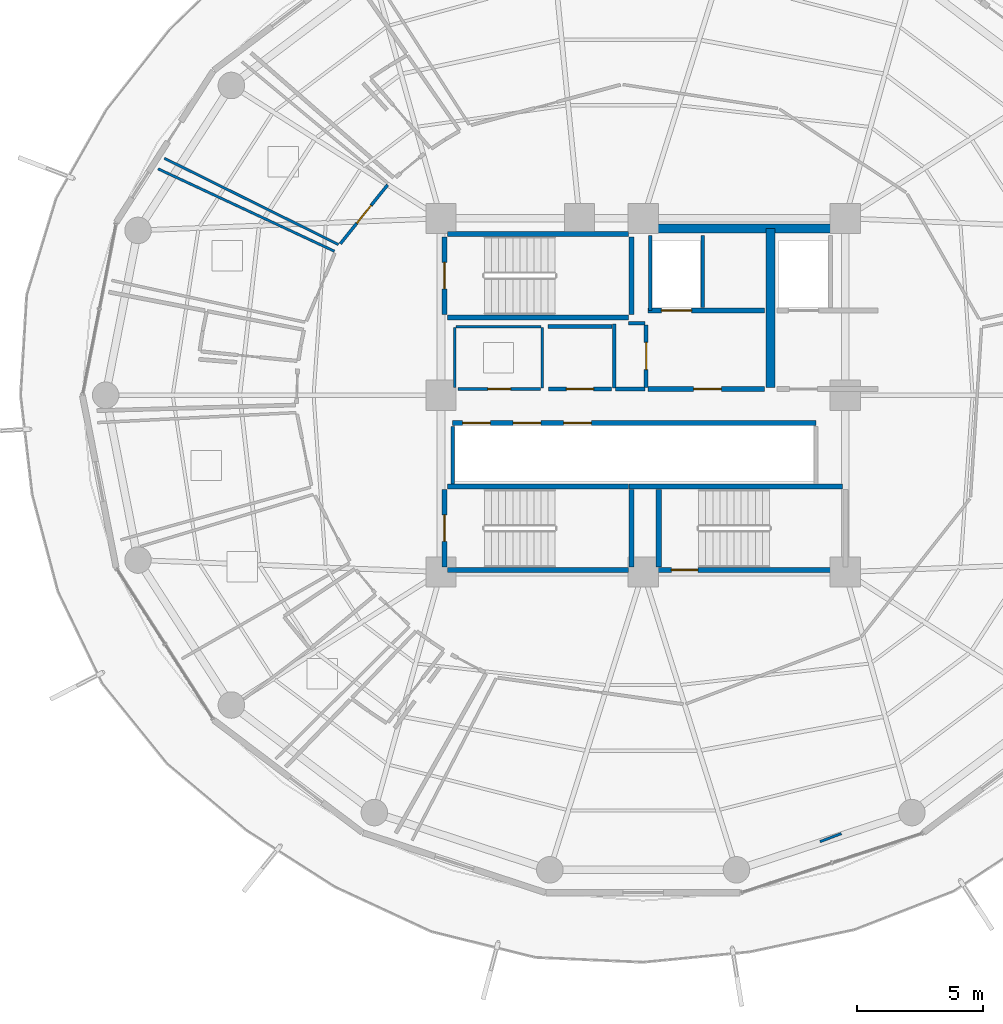
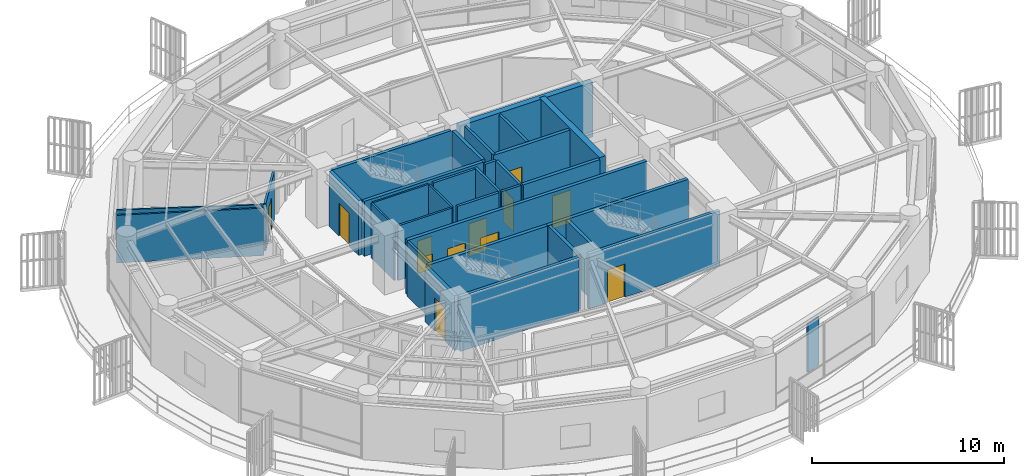
# One storey, part 25 of 31: 33 walls, 12 doors, 12 openings.
"""IFC4 building model written with IfcOpenShell, lengths in metres."""

from ifc_helpers import new_model, si_unit, direction, frame, frame_2d, origin, place, context, subcontext, project, spatial, rectangle, extrude, material, layer, layer_set, type_object, element, fill, save


model = new_model("IFC4")

# Units and contexts
model_context = context("Model", 3, precision=1e-05, world=origin(), true_north=direction((0.0, 1.0)))
body_context = subcontext(model_context, "Body", "Model", "MODEL_VIEW")
ifc_project = project(units=[si_unit("LENGTHUNIT", "METRE"), si_unit("AREAUNIT", "SQUARE_METRE"), si_unit("VOLUMEUNIT", "CUBIC_METRE"), si_unit("PLANEANGLEUNIT", "RADIAN"), si_unit("MASSUNIT", "GRAM", prefix="KILO")], contexts=[model_context])

# Site, building, storey
site_placement = place(None, origin())
site = spatial("IfcSite", under=ifc_project, at=site_placement, CompositionType="ELEMENT")
building_placement = place(site_placement, origin())
building = spatial("IfcBuilding", under=site, at=building_placement, Name="Kelanora Arch Commons", CompositionType="ELEMENT")
storey_placement = place(building_placement, frame((0.0, 0.0, 196.949951171875)))
storey = spatial("IfcBuildingStorey", under=building, at=storey_placement, Name="L50", CompositionType="ELEMENT", Elevation=196.949951171875)

# Walls
ifc_material_1 = material(Name="Autoclaved aerated concrete blockwork with fire plaster", Category="masonry")
ifc_layer_1 = layer(ifc_material_1, 0.14990234375)
ifc_layer_set_1 = layer_set([ifc_layer_1], Name="Autoclaved aerated concrete blockwork with fire plaster")
wall_type_1 = type_object("IfcWallType", Name="W-COMP-150", PredefinedType="PARTITIONING", material=ifc_layer_set_1)
wall_1_placement = place(storey_placement, frame((74.280029296875, 61.35009765625, 0.0), z_axis=(0.0, 0.0, 1.0), x_axis=(0.0, 1.0, 0.0)))
element("IfcWall", 1, at=wall_1_placement, inside=storey, type_object=wall_type_1, Name="Firefighting Lift 1 West Shaft Wall L50", PredefinedType="PARTITIONING", context=body_context, shape_type="SweptSolid", body=[
    extrude(rectangle(XDim=2.969970703125, YDim=0.14990234375, at=frame_2d((1.48486328125, 0.0))), origin(), (0.0, 0.0, 1.0), 3.47998046875),
])
wall_2_placement = place(storey_placement, frame((76.360107421875, 61.47998046875, 0.0), z_axis=(0.0, 0.0, 1.0), x_axis=(0.0, 1.0, 0.0)))
element("IfcWall", 2, at=wall_2_placement, inside=storey, type_object=wall_type_1, Name="Firefighting Lift 1 East Shaft Wall L50", PredefinedType="PARTITIONING", context=body_context, shape_type="SweptSolid", body=[
    extrude(rectangle(XDim=2.840087890625, YDim=0.14990234375, at=frame_2d((1.419921875, 0.0))), origin(), (0.0, 0.0, 1.0), 3.47998046875),
])
wall_3_placement = place(storey_placement, frame((66.4599609375, 54.47998046875, 0.0), z_axis=(0.0, 0.0, 1.0), x_axis=(0.0, 1.0, 0.0)))
element("IfcWall", 3, at=wall_3_placement, inside=storey, type_object=wall_type_1, Name="South Lift Bank West Wall L50", PredefinedType="PARTITIONING", context=body_context, shape_type="SweptSolid", body=[
    extrude(rectangle(XDim=2.2900390625, YDim=0.14990234375, at=frame_2d((1.14501953125, 0.0))), origin(), (0.0, 0.0, 1.0), 3.47998046875),
])

# Wall, opening, door
wall_4_placement = place(storey_placement, frame((74.1201171875, 58.31005859375, 0.0), z_axis=(0.0, 0.0, 1.0), x_axis=(0.0, 1.0, 0.0)))
wall_4 = element("IfcWall", 4, at=wall_4_placement, inside=storey, type_object=wall_type_1, Name="Core Linen Supply Store L50 Entry Partition", PredefinedType="PARTITIONING", context=body_context, shape_type="SweptSolid", body=[
    extrude(rectangle(XDim=2.47998046875, YDim=0.14990234375, at=frame_2d((1.239990234375, 0.0))), origin(), (0.0, 0.0, 1.0), 3.47998046875),
])
opening_1_placement = place(wall_4_placement, frame((0.699951171875, 0.0, 0.0)))
opening_1 = element("IfcOpeningElement", 5, at=opening_1_placement, cuts=wall_4, Name="Opening D-PLT1", PredefinedType="OPENING", context=body_context, shape_type="SweptSolid", body=[
    extrude(rectangle(XDim=1.080078125, YDim=2.10009765625, at=frame_2d((0.5400390625, 1.050048828125))), frame((0.0, 0.0849609375, 0.0), z_axis=(0.0, -1.0, 0.0), x_axis=(1.0, 0.0, 0.0)), (0.0, 0.0, 1.0), 0.169921875),
])
ifc_material_2 = material(Name="Galvanised steel plant and riser fire door", Category="steel")
door_type_1 = type_object("IfcDoorType", Name="D-PLT-110", OperationType="NOTDEFINED", PredefinedType="DOOR", material=ifc_material_2)
door_1_placement = place(opening_1_placement, origin())
door_1 = element("IfcDoor", 6, at=door_1_placement, inside=storey, type_object=door_type_1, Name="Core Linen Supply Store L50 Door", OperationType="SINGLE_SWING_RIGHT", OverallHeight=2.10009765625, OverallWidth=1.080078125, PredefinedType="DOOR", context=body_context, shape_type="SweptSolid", body=[
    extrude(rectangle(XDim=1.080078125, YDim=2.10009765625, at=frame_2d((0.5400390625, 1.050048828125))), frame((0.0, 0.02490234375, 0.0), z_axis=(0.0, -1.0, 0.0), x_axis=(1.0, 0.0, 0.0)), (0.0, 0.0, 1.0), 0.050048828125),
])
fill(opening_1, door_1)

wall_5_placement = place(storey_placement, frame((70.260009765625, 58.25, 0.0), z_axis=(0.0, 0.0, 1.0), x_axis=(1.0, 0.0, 0.0)))
wall_5 = element("IfcWall", 7, at=wall_5_placement, inside=storey, type_object=wall_type_1, Name="Reclaimed Core Linen Store L50 Entry Partition", PredefinedType="PARTITIONING", context=body_context, shape_type="SweptSolid", body=[
    extrude(rectangle(XDim=2.47998046875, YDim=0.14990234375, at=frame_2d((1.239990234375, 0.0))), origin(), (0.0, 0.0, 1.0), 3.47998046875),
])
opening_2_placement = place(wall_5_placement, frame((0.699951171875, 0.0, 0.0)))
opening_2 = element("IfcOpeningElement", 8, at=opening_2_placement, cuts=wall_5, Name="Opening D-PLT1", PredefinedType="OPENING", context=body_context, shape_type="SweptSolid", body=[
    extrude(rectangle(XDim=1.080078125, YDim=2.10009765625, at=frame_2d((0.5400390625, 1.050048828125))), frame((0.0, 0.0849609375, 0.0), z_axis=(0.0, -1.0, 0.0), x_axis=(1.0, 0.0, 0.0)), (0.0, 0.0, 1.0), 0.169921875),
])
door_2_placement = place(opening_2_placement, origin())
door_2 = element("IfcDoor", 9, at=door_2_placement, inside=storey, type_object=door_type_1, Name="Reclaimed Core Linen Store L50 Door", OperationType="SINGLE_SWING_RIGHT", OverallHeight=2.10009765625, OverallWidth=1.080078125, PredefinedType="DOOR", context=body_context, shape_type="SweptSolid", body=[
    extrude(rectangle(XDim=1.080078125, YDim=2.10009765625, at=frame_2d((0.5400390625, 1.050048828125))), frame((0.0, 0.02490234375, 0.0), z_axis=(0.0, -1.0, 0.0), x_axis=(1.0, 0.0, 0.0)), (0.0, 0.0, 1.0), 0.050048828125),
])
fill(opening_2, door_2)

# Walls
wall_6_placement = place(storey_placement, frame((72.89990234375, 58.25, 0.0), z_axis=(0.0, 0.0, 1.0), x_axis=(1.0, 0.0, 0.0)))
element("IfcWall", 10, at=wall_6_placement, inside=storey, type_object=wall_type_1, Name="Core Linen Supply Store L50 Enclosure Partition 1", PredefinedType="PARTITIONING", context=body_context, shape_type="SweptSolid", body=[
    extrude(rectangle(XDim=1.18017578125, YDim=0.14990234375, at=frame_2d((0.590087890625, 0.0))), origin(), (0.0, 0.0, 1.0), 3.47998046875),
])
wall_7_placement = place(storey_placement, frame((74.080078125, 60.85009765625, 0.0), z_axis=(0.0, 0.0, 1.0), x_axis=(-1.0, 0.0, 0.0)))
element("IfcWall", 11, at=wall_7_placement, inside=storey, type_object=wall_type_1, Name="Core Linen Supply Store L50 Enclosure Partition 3", PredefinedType="PARTITIONING", context=body_context, shape_type="SweptSolid", body=[
    extrude(rectangle(XDim=0.66015625, YDim=0.14990234375, at=frame_2d((0.330078125, 0.0))), origin(), (0.0, 0.0, 1.0), 3.47998046875),
])
for number, where, z_axis, x_axis, name in (
    (12, (72.860107421875, 60.81005859375, 0.0), (0.0, 0.0, 1.0), (0.0, -1.0, 0.0), "Core Linen Supply Store L50 Enclosure Partition 4"),
    (13, (72.760009765625, 60.719970703125, 0.0), (0.0, 0.0, 1.0), (-1.0, 0.0, 0.0), "Reclaimed Core Linen Store L50 Enclosure Partition 3"),
):
    element("IfcWall", number, at=place(storey_placement, frame(where, z_axis=z_axis, x_axis=x_axis)), inside=storey, type_object=wall_type_1, Name=name, PredefinedType="PARTITIONING", context=body_context, shape_type="SweptSolid", body=[
        extrude(rectangle(XDim=2.52001953125, YDim=0.14990234375, at=frame_2d((1.260009765625, 0.0))), origin(), (0.0, 0.0, 1.0), 3.47998046875),
    ])
ifc_material_3 = material(Name="Concrete C50/60", Category="concrete")
ifc_layer_2 = layer(ifc_material_3, 0.35009765625)
ifc_layer_set_2 = layer_set([ifc_layer_2], Name="Concrete C50/60")
wall_type_2 = type_object("IfcWallType", Name="W-CORE-350", PredefinedType="SHEAR", material=ifc_layer_set_2)
wall_8_placement = place(storey_placement, frame((74.0, 64.60009765625, 0.0), z_axis=(0.0, 0.0, 1.0), x_axis=(1.0, 0.0, 0.0)))
element("IfcWall", 14, at=wall_8_placement, inside=storey, type_object=wall_type_2, Name="Core Shear Spine L50-CN-E", PredefinedType="SHEAR", context=body_context, shape_type="SweptSolid", body=[
    extrude(rectangle(XDim=8.0, YDim=0.35009765625, at=frame_2d((4.0, 0.0))), origin(), (0.0, 0.0, 1.0), 3.489990234375),
])
wall_9_placement = place(storey_placement, frame((79.050048828125, 58.300048828125, 0.0), z_axis=(0.0, 0.0, 1.0), x_axis=(0.0, 1.0, 0.0)))
element("IfcWall", 15, at=wall_9_placement, inside=storey, type_object=wall_type_2, Name="Core Shear Spine L50-CE-N", PredefinedType="SHEAR", context=body_context, shape_type="SweptSolid", body=[
    extrude(rectangle(XDim=6.300048828125, YDim=0.35009765625, at=frame_2d((3.14990234375, 0.0))), origin(), (0.0, 0.0, 1.0), 3.489990234375),
])

# Wall, opening, door
ifc_material_4 = material(Name="Concrete C40/50", Category="concrete")
ifc_layer_3 = layer(ifc_material_4, 0.199951171875)
ifc_layer_set_3 = layer_set([ifc_layer_3], Name="Concrete C40/50")
wall_type_3 = type_object("IfcWallType", Name="W-FFL-200", PredefinedType="SOLIDWALL", material=ifc_layer_set_3)
wall_10_placement = place(storey_placement, frame((74.199951171875, 61.35009765625, 0.0), z_axis=(0.0, 0.0, 1.0), x_axis=(1.0, 0.0, 0.0)))
wall_10 = element("IfcWall", 16, at=wall_10_placement, inside=storey, type_object=wall_type_3, Name="Firefighting Lift 1 Shaft Front L50", PredefinedType="SOLIDWALL", context=body_context, shape_type="SweptSolid", body=[
    extrude(rectangle(XDim=4.60009765625, YDim=0.199951171875, at=frame_2d((2.300048828125, 0.0))), origin(), (0.0, 0.0, 1.0), 3.47998046875),
])
opening_3_placement = place(wall_10_placement, frame((0.52001953125, 0.0, 0.0)))
opening_3 = element("IfcOpeningElement", 17, at=opening_3_placement, cuts=wall_10, Name="Opening LD-FF", PredefinedType="OPENING", context=body_context, shape_type="SweptSolid", body=[
    extrude(rectangle(XDim=1.199951171875, YDim=2.14990234375, at=frame_2d((0.60009765625, 1.074951171875))), frame((0.0, 0.10986328125, 0.0), z_axis=(0.0, -1.0, 0.0), x_axis=(1.0, 0.0, 0.0)), (0.0, 0.0, 1.0), 0.219970703125),
])
ifc_material_5 = material(Name="Fire-rated firefighters lift sliding landing door")
door_type_2 = type_object("IfcDoorType", Name="D-LIFT-FF", OperationType="NOTDEFINED", PredefinedType="DOOR", material=ifc_material_5)
door_3_placement = place(opening_3_placement, origin())
door_3 = element("IfcDoor", 18, at=door_3_placement, inside=storey, type_object=door_type_2, Name="Firefighting Lift LF-FF1 Landing Door L50", OperationType="DOUBLE_DOOR_SLIDING", OverallHeight=2.14990234375, OverallWidth=1.199951171875, PredefinedType="DOOR", context=body_context, shape_type="SweptSolid", body=[
    extrude(rectangle(XDim=1.199951171875, YDim=2.14990234375, at=frame_2d((0.60009765625, 1.074951171875))), frame((0.0, 0.02490234375, 0.0), z_axis=(0.0, -1.0, 0.0), x_axis=(1.0, 0.0, 0.0)), (0.0, 0.0, 1.0), 0.050048828125),
])
fill(opening_3, door_3)

wall_11_placement = place(storey_placement, frame((74.199951171875, 58.25, 0.0), z_axis=(0.0, 0.0, 1.0), x_axis=(1.0, 0.0, 0.0)))
wall_11 = element("IfcWall", 19, at=wall_11_placement, inside=storey, type_object=wall_type_3, Name="Firefighting Lobby 1 Enclosure Wall L50", PredefinedType="SOLIDWALL", context=body_context, shape_type="SweptSolid", body=[
    extrude(rectangle(XDim=4.60009765625, YDim=0.199951171875, at=frame_2d((2.300048828125, 0.0))), origin(), (0.0, 0.0, 1.0), 3.47998046875),
])
opening_4_placement = place(wall_11_placement, frame((1.800048828125, 0.0, 0.0)))
opening_4 = element("IfcOpeningElement", 20, at=opening_4_placement, cuts=wall_11, Name="Opening D-FFL1", PredefinedType="OPENING", context=body_context, shape_type="SweptSolid", body=[
    extrude(rectangle(XDim=1.10009765625, YDim=2.10009765625, at=frame_2d((0.550048828125, 1.050048828125))), frame((0.0, 0.10986328125, 0.0), z_axis=(0.0, -1.0, 0.0), x_axis=(1.0, 0.0, 0.0)), (0.0, 0.0, 1.0), 0.219970703125),
])
ifc_material_6 = material(Name="Smoke-sealed firefighting lobby fire door")
door_type_3 = type_object("IfcDoorType", Name="D-FFL-110", OperationType="NOTDEFINED", PredefinedType="DOOR", material=ifc_material_6)
door_4_placement = place(opening_4_placement, frame((1.10009765625, 0.0, 0.0), z_axis=(0.0, 0.0, 1.0), x_axis=(-1.0, 0.0, 0.0)))
door_4 = element("IfcDoor", 21, at=door_4_placement, inside=storey, type_object=door_type_3, Name="Firefighting Lobby 1 Door L50", OperationType="SINGLE_SWING_LEFT", OverallHeight=2.10009765625, OverallWidth=1.10009765625, PredefinedType="DOOR", context=body_context, shape_type="SweptSolid", body=[
    extrude(rectangle(XDim=1.10009765625, YDim=2.10009765625, at=frame_2d((0.550048828125, 1.050048828125))), frame((0.0, 0.02490234375, 0.0), z_axis=(0.0, -1.0, 0.0), x_axis=(1.0, 0.0, 0.0)), (0.0, 0.0, 1.0), 0.050048828125),
])
fill(opening_4, door_4)

# Wall, openings, doors
wall_12_placement = place(storey_placement, frame((66.449951171875, 56.89990234375, 0.0), z_axis=(0.0, 0.0, 1.0), x_axis=(1.0, 0.0, 0.0)))
wall_12 = element("IfcWall", 22, at=wall_12_placement, inside=storey, type_object=wall_type_3, Name="Mid/High/Express Lift Shaft Front L50", PredefinedType="SOLIDWALL", context=body_context, shape_type="SweptSolid", body=[
    extrude(rectangle(XDim=14.400146484375, YDim=0.199951171875, at=frame_2d((7.2001953125, 0.0))), origin(), (0.0, 0.0, 1.0), 3.47998046875),
])
opening_5_placement = place(wall_12_placement, frame((0.39990234375, 0.0, 0.0)))
opening_5 = element("IfcOpeningElement", 23, at=opening_5_placement, cuts=wall_12, Name="Opening LD-01", PredefinedType="OPENING", context=body_context, shape_type="SweptSolid", body=[
    extrude(rectangle(XDim=1.10009765625, YDim=2.10009765625, at=frame_2d((0.550048828125, 1.050048828125))), frame((0.0, 0.10986328125, 0.0), z_axis=(0.0, -1.0, 0.0), x_axis=(1.0, 0.0, 0.0)), (0.0, 0.0, 1.0), 0.219970703125),
])
opening_6_placement = place(wall_12_placement, frame((2.39990234375, 0.0, 0.0)))
opening_6 = element("IfcOpeningElement", 24, at=opening_6_placement, cuts=wall_12, Name="Opening LD-01", PredefinedType="OPENING", context=body_context, shape_type="SweptSolid", body=[
    extrude(rectangle(XDim=1.10009765625, YDim=2.10009765625, at=frame_2d((0.550048828125, 1.050048828125))), frame((0.0, 0.10986328125, 0.0), z_axis=(0.0, -1.0, 0.0), x_axis=(1.0, 0.0, 0.0)), (0.0, 0.0, 1.0), 0.219970703125),
])
opening_7_placement = place(wall_12_placement, frame((4.39990234375, 0.0, 0.0)))
opening_7 = element("IfcOpeningElement", 25, at=opening_7_placement, cuts=wall_12, Name="Opening LD-01", PredefinedType="OPENING", context=body_context, shape_type="SweptSolid", body=[
    extrude(rectangle(XDim=1.10009765625, YDim=2.10009765625, at=frame_2d((0.550048828125, 1.050048828125))), frame((0.0, 0.10986328125, 0.0), z_axis=(0.0, -1.0, 0.0), x_axis=(1.0, 0.0, 0.0)), (0.0, 0.0, 1.0), 0.219970703125),
])
ifc_material_7 = material(Name="Stainless steel passenger lift sliding landing door", Category="steel")
door_type_4 = type_object("IfcDoorType", Name="D-LIFT-110", OperationType="NOTDEFINED", PredefinedType="DOOR", material=ifc_material_7)
door_5_placement = place(opening_5_placement, origin())
door_5 = element("IfcDoor", 26, at=door_5_placement, inside=storey, type_object=door_type_4, Name="Passenger Lift LF-P4 Landing Door L50", OperationType="DOUBLE_DOOR_SLIDING", OverallHeight=2.10009765625, OverallWidth=1.10009765625, PredefinedType="DOOR", context=body_context, shape_type="SweptSolid", body=[
    extrude(rectangle(XDim=1.10009765625, YDim=2.10009765625, at=frame_2d((0.550048828125, 1.050048828125))), frame((0.0, 0.02490234375, 0.0), z_axis=(0.0, -1.0, 0.0), x_axis=(1.0, 0.0, 0.0)), (0.0, 0.0, 1.0), 0.050048828125),
])
fill(opening_5, door_5)
door_6_placement = place(opening_6_placement, origin())
door_6 = element("IfcDoor", 27, at=door_6_placement, inside=storey, type_object=door_type_4, Name="Passenger Lift LF-P5 Landing Door L50", OperationType="DOUBLE_DOOR_SLIDING", OverallHeight=2.10009765625, OverallWidth=1.10009765625, PredefinedType="DOOR", context=body_context, shape_type="SweptSolid", body=[
    extrude(rectangle(XDim=1.10009765625, YDim=2.10009765625, at=frame_2d((0.550048828125, 1.050048828125))), frame((0.0, 0.02490234375, 0.0), z_axis=(0.0, -1.0, 0.0), x_axis=(1.0, 0.0, 0.0)), (0.0, 0.0, 1.0), 0.050048828125),
])
fill(opening_6, door_6)
door_7_placement = place(opening_7_placement, origin())
door_7 = element("IfcDoor", 28, at=door_7_placement, inside=storey, type_object=door_type_4, Name="Passenger Lift LF-P6 Landing Door L50", OperationType="DOUBLE_DOOR_SLIDING", OverallHeight=2.10009765625, OverallWidth=1.10009765625, PredefinedType="DOOR", context=body_context, shape_type="SweptSolid", body=[
    extrude(rectangle(XDim=1.10009765625, YDim=2.10009765625, at=frame_2d((0.550048828125, 1.050048828125))), frame((0.0, 0.02490234375, 0.0), z_axis=(0.0, -1.0, 0.0), x_axis=(1.0, 0.0, 0.0)), (0.0, 0.0, 1.0), 0.050048828125),
])
fill(opening_7, door_7)

# Walls
ifc_material_8 = material(Name="Lightweight fire-rated acoustic stud partition")
ifc_layer_4 = layer(ifc_material_8, 0.10009765625)
ifc_layer_set_4 = layer_set([ifc_layer_4], Name="Lightweight fire-rated acoustic stud partition")
wall_type_4 = type_object("IfcWallType", Name="W-PART-100", PredefinedType="PARTITIONING", material=ifc_layer_set_4)
wall_13_placement = place(storey_placement, frame((70.0, 58.2900390625, 0.0), z_axis=(0.0, 0.0, 1.0), x_axis=(0.0, 1.0, 0.0)))
element("IfcWall", 29, at=wall_13_placement, inside=storey, type_object=wall_type_4, Name="Reclaimed Core Quiet Phone Booths L50 Enclosure Partition 2", PredefinedType="PARTITIONING", context=body_context, shape_type="SweptSolid", body=[
    extrude(rectangle(XDim=2.389892578125, YDim=0.10009765625, at=frame_2d((1.19482421875, 0.0))), origin(), (0.0, 0.0, 1.0), 3.47998046875),
])
wall_14_placement = place(storey_placement, frame((69.9599609375, 60.719970703125, 0.0), z_axis=(0.0, 0.0, 1.0), x_axis=(-1.0, 0.0, 0.0)))
element("IfcWall", 30, at=wall_14_placement, inside=storey, type_object=wall_type_4, Name="Reclaimed Core Quiet Phone Booths L50 Enclosure Partition 3", PredefinedType="PARTITIONING", context=body_context, shape_type="SweptSolid", body=[
    extrude(rectangle(XDim=3.369873046875, YDim=0.10009765625, at=frame_2d((1.68505859375, 0.0))), origin(), (0.0, 0.0, 1.0), 3.47998046875),
])
wall_15_placement = place(storey_placement, frame((66.550048828125, 60.679931640625, 0.0), z_axis=(0.0, 0.0, 1.0), x_axis=(0.0, -1.0, 0.0)))
element("IfcWall", 31, at=wall_15_placement, inside=storey, type_object=wall_type_4, Name="Reclaimed Core Quiet Phone Booths L50 Enclosure Partition 4", PredefinedType="PARTITIONING", context=body_context, shape_type="SweptSolid", body=[
    extrude(rectangle(XDim=2.383056640625, YDim=0.10009765625, at=frame_2d((1.19140625, 0.0))), origin(), (0.0, 0.0, 1.0), 3.47998046875),
])
wall_16_placement = place(storey_placement, frame((81.8486328125, 40.646240234375, 0.0), z_axis=(0.0, 0.0, 1.0), x_axis=(-0.935240492297, -0.354013024574, 0.0)))
element("IfcWall", 32, at=wall_16_placement, inside=storey, type_object=wall_type_4, Name="South-East Social Sky Lounge L50 Enclosure Partition 8", PredefinedType="PARTITIONING", context=body_context, shape_type="SweptSolid", body=[
    extrude(rectangle(XDim=0.906982421875, YDim=0.10009765625, at=frame_2d((0.45361328125, 0.0))), origin(), (0.0, 0.0, 1.0), 3.074951171875),
])
wall_17_placement = place(storey_placement, frame((61.938232421875, 63.966796875, 0.0), z_axis=(0.0, 0.0, 1.0), x_axis=(-0.896052906747, 0.443947281003, 0.0)))
element("IfcWall", 33, at=wall_17_placement, inside=storey, type_object=wall_type_4, Name="Social Sky Lounge L50-02 Enclosure Partition 2", PredefinedType="PARTITIONING", context=body_context, shape_type="SweptSolid", body=[
    extrude(rectangle(XDim=7.690673828125, YDim=0.10009765625, at=frame_2d((3.84521484375, 0.0))), origin(), (0.0, 0.0, 1.0), 3.025146484375),
])
wall_18_placement = place(storey_placement, frame((54.797119140625, 66.963134765625, 0.0), z_axis=(0.0, 0.0, 1.0), x_axis=(0.906002589331, -0.423272144283, 0.0)))
element("IfcWall", 34, at=wall_18_placement, inside=storey, type_object=wall_type_4, Name="Quiet Seminar Study Room L50-03 Enclosure Partition 4", PredefinedType="PARTITIONING", context=body_context, shape_type="SweptSolid", body=[
    extrude(rectangle(XDim=7.70703125, YDim=0.10009765625, at=frame_2d((3.853515625, 0.0))), origin(), (0.0, 0.0, 1.0), 3.025146484375),
])

# Wall, opening, door
ifc_material_9 = material(Name="Acoustic twin-stud fire-rated gypsum partition")
ifc_layer_5 = layer(ifc_material_9, 0.1201171875)
ifc_layer_set_5 = layer_set([ifc_layer_5], Name="Acoustic twin-stud fire-rated gypsum partition")
wall_type_5 = type_object("IfcWallType", Name="W-PART-120", PredefinedType="PARTITIONING", material=ifc_layer_set_5)
wall_19_placement = place(storey_placement, frame((66.67529296875, 58.25, 0.0), z_axis=(0.0, 0.0, 1.0), x_axis=(1.0, 0.0, 0.0)))
wall_19 = element("IfcWall", 35, at=wall_19_placement, inside=storey, type_object=wall_type_5, Name="Reclaimed Core Quiet Phone Booths L50 Entry Partition", PredefinedType="PARTITIONING", context=body_context, shape_type="SweptSolid", body=[
    extrude(rectangle(XDim=3.2646484375, YDim=0.1201171875, at=frame_2d((1.63232421875, 0.0))), origin(), (0.0, 0.0, 1.0), 3.47998046875),
])
opening_8_placement = place(wall_19_placement, frame((1.181884765625, 0.0, 0.0)))
opening_8 = element("IfcOpeningElement", 36, at=opening_8_placement, cuts=wall_19, Name="Opening D-RM1", PredefinedType="OPENING", context=body_context, shape_type="SweptSolid", body=[
    extrude(rectangle(XDim=0.89990234375, YDim=2.080078125, at=frame_2d((0.449951171875, 1.0400390625))), frame((0.0, 0.070068359375, 0.0), z_axis=(0.0, -1.0, 0.0), x_axis=(1.0, 0.0, 0.0)), (0.0, 0.0, 1.0), 0.14013671875),
])
ifc_material_10 = material(Name="Acoustic fire-rated timber study and lounge door", Category="wood")
door_type_5 = type_object("IfcDoorType", Name="D-ROOM-90", OperationType="NOTDEFINED", PredefinedType="DOOR", material=ifc_material_10)
door_8_placement = place(opening_8_placement, origin())
door_8 = element("IfcDoor", 37, at=door_8_placement, inside=storey, type_object=door_type_5, Name="Reclaimed Core Quiet Phone Booths L50 Door", OperationType="SINGLE_SWING_LEFT", OverallHeight=2.080078125, OverallWidth=0.89990234375, PredefinedType="DOOR", context=body_context, shape_type="SweptSolid", body=[
    extrude(rectangle(XDim=0.89990234375, YDim=2.080078125, at=frame_2d((0.449951171875, 1.0400390625))), frame((0.0, 0.02490234375, 0.0), z_axis=(0.0, -1.0, 0.0), x_axis=(1.0, 0.0, 0.0)), (0.0, 0.0, 1.0), 0.050048828125),
])
fill(opening_8, door_8)

wall_20_placement = place(storey_placement, frame((63.884521484375, 66.3271484375, 0.0), z_axis=(0.0, 0.0, 1.0), x_axis=(-0.626276824741, -0.779600756023, 0.0)))
wall_20 = element("IfcWall", 38, at=wall_20_placement, inside=storey, type_object=wall_type_5, Name="Social Sky Lounge L50-02 Entry Partition", PredefinedType="PARTITIONING", context=body_context, shape_type="SweptSolid", body=[
    extrude(rectangle(XDim=2.990478515625, YDim=0.1201171875, at=frame_2d((1.4951171875, 0.0))), origin(), (0.0, 0.0, 1.0), 3.025146484375),
])
opening_9_placement = place(wall_20_placement, frame((1.044921875, 0.0, 0.0)))
opening_9 = element("IfcOpeningElement", 39, at=opening_9_placement, cuts=wall_20, Name="Opening D-RM1", PredefinedType="OPENING", context=body_context, shape_type="SweptSolid", body=[
    extrude(rectangle(XDim=0.89990234375, YDim=2.080078125, at=frame_2d((0.449951171875, 1.0400390625))), frame((0.0, 0.070068359375, 0.0), z_axis=(0.0, -1.0, 0.0), x_axis=(1.0, 0.0, 0.0)), (0.0, 0.0, 1.0), 0.14013671875),
])
door_9_placement = place(opening_9_placement, origin())
door_9 = element("IfcDoor", 40, at=door_9_placement, inside=storey, type_object=door_type_5, Name="Social Sky Lounge L50-02 Door", OperationType="SINGLE_SWING_LEFT", OverallHeight=2.080078125, OverallWidth=0.89990234375, PredefinedType="DOOR", context=body_context, shape_type="SweptSolid", body=[
    extrude(rectangle(XDim=0.89990234375, YDim=2.080078125, at=frame_2d((0.449951171875, 1.0400390625))), frame((0.0, 0.02490234375, 0.0), z_axis=(0.0, -1.0, 0.0), x_axis=(1.0, 0.0, 0.0)), (0.0, 0.0, 1.0), 0.050048828125),
])
fill(opening_9, door_9)

# Walls
ifc_layer_6 = layer(ifc_material_4, 0.199951171875)
ifc_layer_set_6 = layer_set([ifc_layer_6], Name="Concrete C40/50")
wall_type_6 = type_object("IfcWallType", Name="W-STAIR-200", PredefinedType="SHEAR", material=ifc_layer_set_6)
wall_21_placement = place(storey_placement, frame((66.260009765625, 61.080078125, 0.0), z_axis=(0.0, 0.0, 1.0), x_axis=(1.0, 0.0, 0.0)))
element("IfcWall", 41, at=wall_21_placement, inside=storey, type_object=wall_type_6, Name="Stair ST-T1 Shaft Wall S L50", PredefinedType="SHEAR", context=body_context, shape_type="SweptSolid", body=[
    extrude(rectangle(XDim=7.159912109375, YDim=0.199951171875, at=frame_2d((3.580078125, 0.0))), origin(), (0.0, 0.0, 1.0), 3.489990234375),
])
wall_22_placement = place(storey_placement, frame((73.5400390625, 61.199951171875, 0.0), z_axis=(0.0, 0.0, 1.0), x_axis=(0.0, 1.0, 0.0)))
element("IfcWall", 42, at=wall_22_placement, inside=storey, type_object=wall_type_6, Name="Stair ST-T1 Shaft Wall E L50", PredefinedType="SHEAR", context=body_context, shape_type="SweptSolid", body=[
    extrude(rectangle(XDim=3.070068359375, YDim=0.199951171875, at=frame_2d((1.53515625, 0.0))), origin(), (0.0, 0.0, 1.0), 3.489990234375),
])
wall_23_placement = place(storey_placement, frame((73.419921875, 64.389892578125, 0.0), z_axis=(0.0, 0.0, 1.0), x_axis=(-1.0, 0.0, 0.0)))
element("IfcWall", 43, at=wall_23_placement, inside=storey, type_object=wall_type_6, Name="Stair ST-T1 Shaft Wall N L50", PredefinedType="SHEAR", context=body_context, shape_type="SweptSolid", body=[
    extrude(rectangle(XDim=7.159912109375, YDim=0.199951171875, at=frame_2d((3.580078125, 0.0))), origin(), (0.0, 0.0, 1.0), 3.489990234375),
])

# Wall, opening, door
wall_24_placement = place(storey_placement, frame((66.139892578125, 64.27001953125, 0.0), z_axis=(0.0, 0.0, 1.0), x_axis=(0.0, -1.0, 0.0)))
wall_24 = element("IfcWall", 44, at=wall_24_placement, inside=storey, type_object=wall_type_6, Name="Stair ST-T1 Shaft Wall W L50", PredefinedType="SHEAR", context=body_context, shape_type="SweptSolid", body=[
    extrude(rectangle(XDim=3.070068359375, YDim=0.199951171875, at=frame_2d((1.53515625, 0.0))), origin(), (0.0, 0.0, 1.0), 3.489990234375),
])
opening_10_placement = place(wall_24_placement, frame((1.010009765625, 0.0, 0.0)))
opening_10 = element("IfcOpeningElement", 45, at=opening_10_placement, cuts=wall_24, Name="Opening D-ST1", PredefinedType="OPENING", context=body_context, shape_type="SweptSolid", body=[
    extrude(rectangle(XDim=1.050048828125, YDim=2.10009765625, at=frame_2d((0.52490234375, 1.050048828125))), frame((0.0, 0.10986328125, 0.0), z_axis=(0.0, -1.0, 0.0), x_axis=(1.0, 0.0, 0.0)), (0.0, 0.0, 1.0), 0.219970703125),
])
ifc_material_11 = material(Name="Steel fire-rated stairwell escape door", Category="steel")
door_type_6 = type_object("IfcDoorType", Name="D-STAIR-110", OperationType="NOTDEFINED", PredefinedType="DOOR", material=ifc_material_11)
door_10_placement = place(opening_10_placement, origin())
door_10 = element("IfcDoor", 46, at=door_10_placement, inside=storey, type_object=door_type_6, Name="Stair ST-T1 Escape Door L50", OperationType="SINGLE_SWING_LEFT", OverallHeight=2.10009765625, OverallWidth=1.050048828125, PredefinedType="DOOR", context=body_context, shape_type="SweptSolid", body=[
    extrude(rectangle(XDim=1.050048828125, YDim=2.10009765625, at=frame_2d((0.52490234375, 1.050048828125))), frame((0.0, 0.02490234375, 0.0), z_axis=(0.0, -1.0, 0.0), x_axis=(1.0, 0.0, 0.0)), (0.0, 0.0, 1.0), 0.050048828125),
])
fill(opening_10, door_10)

wall_25_placement = place(storey_placement, frame((74.0, 51.080078125, 0.0), z_axis=(0.0, 0.0, 1.0), x_axis=(1.0, 0.0, 0.0)))
wall_25 = element("IfcWall", 47, at=wall_25_placement, inside=storey, type_object=wall_type_6, Name="Stair ST-T2 Shaft Wall S L50", PredefinedType="SHEAR", context=body_context, shape_type="SweptSolid", body=[
    extrude(rectangle(XDim=7.89990234375, YDim=0.199951171875, at=frame_2d((3.949951171875, 0.0))), origin(), (0.0, 0.0, 1.0), 3.489990234375),
])
opening_11_placement = place(wall_25_placement, frame((1.1201171875, 0.0, 0.0)))
opening_11 = element("IfcOpeningElement", 48, at=opening_11_placement, cuts=wall_25, Name="Opening D-ST1", PredefinedType="OPENING", context=body_context, shape_type="SweptSolid", body=[
    extrude(rectangle(XDim=1.050048828125, YDim=2.10009765625, at=frame_2d((0.52490234375, 1.050048828125))), frame((0.0, 0.10986328125, 0.0), z_axis=(0.0, -1.0, 0.0), x_axis=(1.0, 0.0, 0.0)), (0.0, 0.0, 1.0), 0.219970703125),
])
door_11_placement = place(opening_11_placement, origin())
door_11 = element("IfcDoor", 49, at=door_11_placement, inside=storey, type_object=door_type_6, Name="Stair ST-T2 Escape Door L50", OperationType="SINGLE_SWING_LEFT", OverallHeight=2.10009765625, OverallWidth=1.050048828125, PredefinedType="DOOR", context=body_context, shape_type="SweptSolid", body=[
    extrude(rectangle(XDim=1.050048828125, YDim=2.10009765625, at=frame_2d((0.52490234375, 1.050048828125))), frame((0.0, 0.02490234375, 0.0), z_axis=(0.0, -1.0, 0.0), x_axis=(1.0, 0.0, 0.0)), (0.0, 0.0, 1.0), 0.050048828125),
])
fill(opening_11, door_11)

# Walls
wall_26_placement = place(storey_placement, frame((81.89990234375, 54.389892578125, 0.0), z_axis=(0.0, 0.0, 1.0), x_axis=(-1.0, 0.0, 0.0)))
element("IfcWall", 50, at=wall_26_placement, inside=storey, type_object=wall_type_6, Name="Stair ST-T2 Shaft Wall N L50", PredefinedType="SHEAR", context=body_context, shape_type="SweptSolid", body=[
    extrude(rectangle(XDim=8.4599609375, YDim=0.199951171875, at=frame_2d((4.22998046875, 0.0))), origin(), (0.0, 0.0, 1.0), 3.489990234375),
])
wall_27_placement = place(storey_placement, frame((74.6201171875, 54.27001953125, 0.0), z_axis=(0.0, 0.0, 1.0), x_axis=(0.0, -1.0, 0.0)))
element("IfcWall", 51, at=wall_27_placement, inside=storey, type_object=wall_type_6, Name="Stair ST-T2 Shaft Wall W L50", PredefinedType="SHEAR", context=body_context, shape_type="SweptSolid", body=[
    extrude(rectangle(XDim=3.070068359375, YDim=0.199951171875, at=frame_2d((1.53515625, 0.0))), origin(), (0.0, 0.0, 1.0), 3.489990234375),
])
wall_28_placement = place(storey_placement, frame((66.260009765625, 51.080078125, 0.0), z_axis=(0.0, 0.0, 1.0), x_axis=(1.0, 0.0, 0.0)))
element("IfcWall", 52, at=wall_28_placement, inside=storey, type_object=wall_type_6, Name="Stair ST-T3 Shaft Wall S L50", PredefinedType="SHEAR", context=body_context, shape_type="SweptSolid", body=[
    extrude(rectangle(XDim=7.159912109375, YDim=0.199951171875, at=frame_2d((3.580078125, 0.0))), origin(), (0.0, 0.0, 1.0), 3.489990234375),
])
wall_29_placement = place(storey_placement, frame((73.5400390625, 51.199951171875, 0.0), z_axis=(0.0, 0.0, 1.0), x_axis=(0.0, 1.0, 0.0)))
element("IfcWall", 53, at=wall_29_placement, inside=storey, type_object=wall_type_6, Name="Stair ST-T3 Shaft Wall E L50", PredefinedType="SHEAR", context=body_context, shape_type="SweptSolid", body=[
    extrude(rectangle(XDim=3.070068359375, YDim=0.199951171875, at=frame_2d((1.53515625, 0.0))), origin(), (0.0, 0.0, 1.0), 3.489990234375),
])
wall_30_placement = place(storey_placement, frame((73.419921875, 54.389892578125, 0.0), z_axis=(0.0, 0.0, 1.0), x_axis=(-1.0, 0.0, 0.0)))
element("IfcWall", 54, at=wall_30_placement, inside=storey, type_object=wall_type_6, Name="Stair ST-T3 Shaft Wall N L50", PredefinedType="SHEAR", context=body_context, shape_type="SweptSolid", body=[
    extrude(rectangle(XDim=7.159912109375, YDim=0.199951171875, at=frame_2d((3.580078125, 0.0))), origin(), (0.0, 0.0, 1.0), 3.489990234375),
])

# Wall, opening, door
wall_31_placement = place(storey_placement, frame((66.139892578125, 54.27001953125, 0.0), z_axis=(0.0, 0.0, 1.0), x_axis=(0.0, -1.0, 0.0)))
wall_31 = element("IfcWall", 55, at=wall_31_placement, inside=storey, type_object=wall_type_6, Name="Stair ST-T3 Shaft Wall W L50", PredefinedType="SHEAR", context=body_context, shape_type="SweptSolid", body=[
    extrude(rectangle(XDim=3.070068359375, YDim=0.199951171875, at=frame_2d((1.53515625, 0.0))), origin(), (0.0, 0.0, 1.0), 3.489990234375),
])
opening_12_placement = place(wall_31_placement, frame((1.010009765625, 0.0, 0.0)))
opening_12 = element("IfcOpeningElement", 56, at=opening_12_placement, cuts=wall_31, Name="Opening D-ST1", PredefinedType="OPENING", context=body_context, shape_type="SweptSolid", body=[
    extrude(rectangle(XDim=1.050048828125, YDim=2.10009765625, at=frame_2d((0.52490234375, 1.050048828125))), frame((0.0, 0.10986328125, 0.0), z_axis=(0.0, -1.0, 0.0), x_axis=(1.0, 0.0, 0.0)), (0.0, 0.0, 1.0), 0.219970703125),
])
door_12_placement = place(opening_12_placement, origin())
door_12 = element("IfcDoor", 57, at=door_12_placement, inside=storey, type_object=door_type_6, Name="Stair ST-T3 Escape Door L50", OperationType="SINGLE_SWING_LEFT", OverallHeight=2.10009765625, OverallWidth=1.050048828125, PredefinedType="DOOR", context=body_context, shape_type="SweptSolid", body=[
    extrude(rectangle(XDim=1.050048828125, YDim=2.10009765625, at=frame_2d((0.52490234375, 1.050048828125))), frame((0.0, 0.02490234375, 0.0), z_axis=(0.0, -1.0, 0.0), x_axis=(1.0, 0.0, 0.0)), (0.0, 0.0, 1.0), 0.050048828125),
])
fill(opening_12, door_12)

save(model, "model.ifc")
